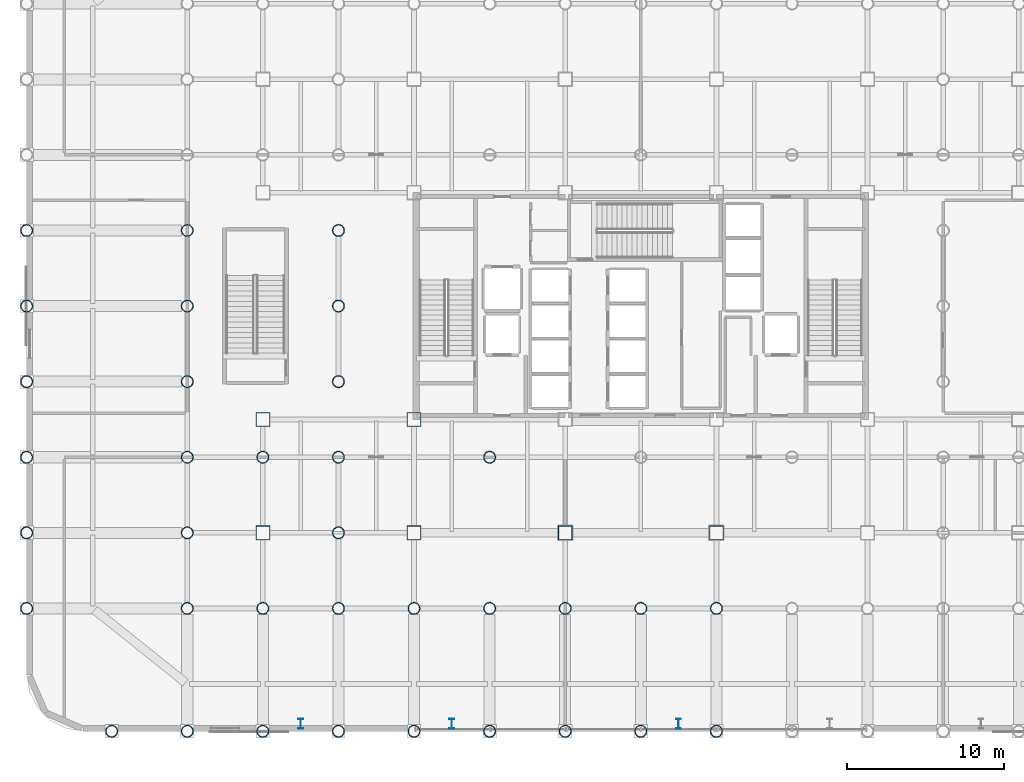
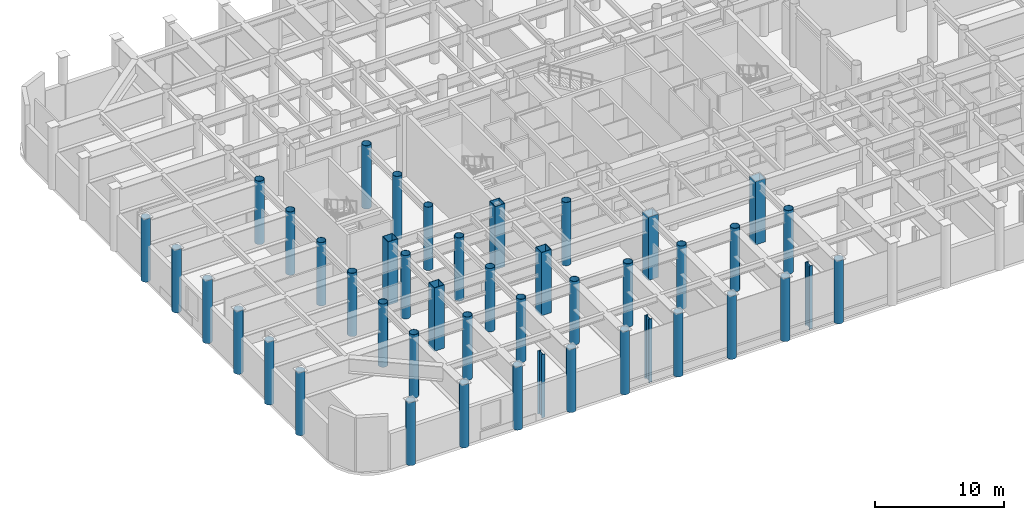
# One storey, part 1 of 26: 44 columns.
"""IFC4 building model written with IfcOpenShell, lengths in metres."""

from ifc_helpers import new_model, si_unit, direction, frame, origin, origin_2d, place, context, subcontext, project, spatial, hollow_rectangle, hollow_circle, i_section, extrude, material, material_profile, profile_set, type_object, element, save


model = new_model("IFC4")

# Units and contexts
model_context = context("Model", 3, precision=1e-05, world=origin(), true_north=direction((0.0, 1.0)))
body_context = subcontext(model_context, "Body", "Model", "MODEL_VIEW")
ifc_project = project(units=[si_unit("LENGTHUNIT", "METRE"), si_unit("AREAUNIT", "SQUARE_METRE"), si_unit("VOLUMEUNIT", "CUBIC_METRE"), si_unit("PLANEANGLEUNIT", "RADIAN"), si_unit("MASSUNIT", "GRAM", prefix="KILO")], contexts=[model_context])

# Site, building, storey
site_placement = place(None, origin())
site = spatial("IfcSite", under=ifc_project, at=site_placement, CompositionType="ELEMENT")
building_placement = place(site_placement, origin())
building = spatial("IfcBuilding", under=site, at=building_placement, Name="Kallvorn Hotel Tower", CompositionType="ELEMENT")
storey_placement = place(building_placement, frame((0.0, 0.0, 6.0)))
storey = spatial("IfcBuildingStorey", under=building, at=storey_placement, Name="L01", CompositionType="ELEMENT", Elevation=6.0)

# Columns
ifc_material_1 = material(Name="Structural steel S355J2H", Category="steel")
ifc_material_profile_1 = material_profile(ifc_material_1, hollow_circle(Radius=0.381103515625, WallThickness=0.031982421875, at=origin_2d()), Name="CHS 762x32")
ifc_profile_set_1 = profile_set([ifc_material_profile_1], Name="Structural steel S355J2H")
column_type_1 = type_object("IfcColumnType", Name="COL_CHS_762", PredefinedType="COLUMN", material=ifc_profile_set_1)
for number, where, z_axis, x_axis, name in (
    (1, (-39.0, -19.199951171875, 0.0), (0.0, 0.0, 1.0), (1.0, 0.0, 0.0), "L01 Exoskeleton Column EC01"),
    (2, (-39.0, -14.39990234375, 0.0), (0.0, 0.0, 1.0), (1.0, 0.0, 0.0), "L01 Exoskeleton Column EC02"),
    (3, (-39.0, -9.60009765625, 0.0), (0.0, 0.0, 1.0), (1.0, 0.0, 0.0), "L01 Exoskeleton Column EC03"),
    (4, (-39.0, -4.800048828125, 0.0), (0.0, 0.0, 1.0), (1.0, 0.0, 0.0), "L01 Exoskeleton Column EC04"),
    (5, (-39.0, 0.0, 0.0), (0.0, 0.0, 1.0), (1.0, 0.0, 0.0), "L01 Exoskeleton Column EC05"),
    (6, (-39.0, 4.800048828125, 0.0), (0.0, 0.0, 1.0), (1.0, 0.0, 0.0), "L01 Exoskeleton Column EC06"),
    (7, (-33.60009765625, -27.0, 0.0), (0.0, 0.0, 1.0), (1.0, 0.0, 0.0), "L01 Exoskeleton Column EC10"),
    (8, (-28.800048828125, -27.0, 0.0), (0.0, 0.0, 1.0), (1.0, 0.0, 0.0), "L01 Exoskeleton Column EC12"),
    (9, (-28.800048828125, -19.199951171875, 0.0), (0.0, 0.0, 1.0), (1.0, 0.0, 0.0), "L01 Exoskeleton Column EC13"),
    (10, (-28.800048828125, -14.39990234375, 0.0), (0.0, 0.0, 1.0), (1.0, 0.0, 0.0), "L01 Exoskeleton Column EC14"),
    (11, (-28.800048828125, -9.60009765625, 0.0), (0.0, 0.0, 1.0), (1.0, 0.0, 0.0), "L01 Exoskeleton Column EC15"),
    (12, (-28.800048828125, -4.800048828125, 0.0), (0.0, 0.0, 1.0), (1.0, 0.0, 0.0), "L01 Exoskeleton Column EC16"),
    (13, (-28.800048828125, 0.0, 0.0), (0.0, 0.0, 1.0), (1.0, 0.0, 0.0), "L01 Exoskeleton Column EC17"),
    (14, (-28.800048828125, 4.800048828125, 0.0), (0.0, 0.0, 1.0), (1.0, 0.0, 0.0), "L01 Exoskeleton Column EC18"),
    (15, (-24.0, -27.0, 0.0), (0.0, 0.0, 1.0), (1.0, 0.0, 0.0), "L01 Exoskeleton Column EC23"),
    (16, (-24.0, -19.199951171875, 0.0), (0.0, 0.0, 1.0), (1.0, 0.0, 0.0), "L01 Exoskeleton Column EC24"),
    (17, (-24.0, -9.60009765625, 0.0), (0.0, 0.0, 1.0), (1.0, 0.0, 0.0), "L01 Exoskeleton Column EC25"),
    (18, (-19.199951171875, -27.0, 0.0), (0.0, 0.0, 1.0), (1.0, 0.0, 0.0), "L01 Exoskeleton Column EC29"),
    (19, (-19.199951171875, -19.199951171875, 0.0), (0.0, 0.0, 1.0), (1.0, 0.0, 0.0), "L01 Exoskeleton Column EC30"),
    (20, (-19.199951171875, -14.39990234375, 0.0), (0.0, 0.0, 1.0), (1.0, 0.0, 0.0), "L01 Exoskeleton Column EC31"),
    (21, (-19.199951171875, -9.60009765625, 0.0), (0.0, 0.0, 1.0), (1.0, 0.0, 0.0), "L01 Exoskeleton Column EC32"),
    (22, (-19.199951171875, -4.800048828125, 0.0), (0.0, 0.0, 1.0), (1.0, 0.0, 0.0), "L01 Exoskeleton Column EC33"),
    (23, (-19.199951171875, 0.0, 0.0), (0.0, 0.0, 1.0), (1.0, 0.0, 0.0), "L01 Exoskeleton Column EC34"),
    (24, (-19.199951171875, 4.800048828125, 0.0), (0.0, 0.0, 1.0), (1.0, 0.0, 0.0), "L01 Exoskeleton Column EC35"),
    (25, (-14.39990234375, -27.0, 0.0), (0.0, 0.0, 1.0), (1.0, 0.0, 0.0), "L01 Exoskeleton Column EC40"),
    (26, (-14.39990234375, -19.199951171875, 0.0), (0.0, 0.0, 1.0), (1.0, 0.0, 0.0), "L01 Exoskeleton Column EC41"),
    (27, (-9.60009765625, -27.0, 0.0), (0.0, 0.0, 1.0), (1.0, 0.0, 0.0), "L01 Exoskeleton Column EC44"),
    (28, (-9.60009765625, -19.199951171875, 0.0), (0.0, 0.0, 1.0), (1.0, 0.0, 0.0), "L01 Exoskeleton Column EC45"),
    (29, (-9.60009765625, -9.60009765625, 0.0), (0.0, 0.0, 1.0), (1.0, 0.0, 0.0), "L01 Exoskeleton Column EC46"),
    (30, (-4.800048828125, -27.0, 0.0), (0.0, 0.0, 1.0), (1.0, 0.0, 0.0), "L01 Exoskeleton Column EC50"),
    (31, (-4.800048828125, -19.199951171875, 0.0), (0.0, 0.0, 1.0), (1.0, 0.0, 0.0), "L01 Exoskeleton Column EC51"),
    (32, (0.0, -27.0, 0.0), (0.0, 0.0, 1.0), (1.0, 0.0, 0.0), "L01 Exoskeleton Column EC54"),
    (33, (0.0, -19.199951171875, 0.0), (0.0, 0.0, 1.0), (1.0, 0.0, 0.0), "L01 Exoskeleton Column EC55"),
    (34, (4.800048828125, -27.0, 0.0), (0.0, 0.0, 1.0), (1.0, 0.0, 0.0), "L01 Exoskeleton Column EC60"),
    (35, (4.800048828125, -19.199951171875, 0.0), (0.0, 0.0, 1.0), (1.0, 0.0, 0.0), "L01 Exoskeleton Column EC61"),
):
    element("IfcColumn", number, at=place(storey_placement, frame(where, z_axis=z_axis, x_axis=x_axis)), inside=storey, type_object=column_type_1, Name=name, PredefinedType="COLUMN", context=body_context, shape_type="SweptSolid", body=[
        extrude(hollow_circle(Radius=0.381103515625, WallThickness=0.031982421875, at=origin_2d()), origin(), (0.0, 0.0, 1.0), 6.0),
    ])
ifc_material_2 = material(Name="Structural steel S355J2H", Category="steel")
ifc_material_profile_2 = material_profile(ifc_material_2, hollow_rectangle(XDim=0.89990234375, YDim=0.89990234375, WallThickness=0.0400390625, at=origin_2d()), Name="RHS 900x900x40")
ifc_profile_set_2 = profile_set([ifc_material_profile_2], Name="Structural steel S355J2H")
column_type_2 = type_object("IfcColumnType", Name="COL_RHS_900", PredefinedType="COLUMN", material=ifc_profile_set_2)
for number, where, z_axis, x_axis, name in (
    (36, (-24.0, -14.39990234375, 0.0), (0.0, 0.0, 1.0), (1.0, 0.0, 0.0), "L01 Inner Column IC01"),
    (37, (-24.0, -7.199951171875, 0.0), (0.0, 0.0, 1.0), (1.0, 0.0, 0.0), "L01 Inner Column IC02"),
    (38, (-14.39990234375, -14.39990234375, 0.0), (0.0, 0.0, 1.0), (1.0, 0.0, 0.0), "L01 Inner Column IC05"),
    (39, (-14.39990234375, -7.199951171875, 0.0), (0.0, 0.0, 1.0), (1.0, 0.0, 0.0), "L01 Inner Column IC06"),
    (40, (-4.800048828125, -14.39990234375, 0.0), (0.0, 0.0, 1.0), (1.0, 0.0, 0.0), "L01 Inner Column IC09"),
    (41, (4.800048828125, -14.39990234375, 0.0), (0.0, 0.0, 1.0), (1.0, 0.0, 0.0), "L01 Inner Column IC13"),
):
    element("IfcColumn", number, at=place(storey_placement, frame(where, z_axis=z_axis, x_axis=x_axis)), inside=storey, type_object=column_type_2, Name=name, PredefinedType="COLUMN", context=body_context, shape_type="SweptSolid", body=[
        extrude(hollow_rectangle(XDim=0.89990234375, YDim=0.89990234375, WallThickness=0.0400390625, at=origin_2d()), origin(), (0.0, 0.0, 1.0), 6.0),
    ])
ifc_material_3 = material(Name="Structural steel S355JR", Category="steel")
ifc_material_profile_3 = material_profile(ifc_material_3, i_section(OverallWidth=0.300048828125, OverallDepth=0.64990234375, WebThickness=0.01611328125, FlangeThickness=0.031005859375, at=origin_2d()), Name="HE 650 B")
ifc_profile_set_3 = profile_set([ifc_material_profile_3], Name="Structural steel S355JR")
column_type_3 = type_object("IfcColumnType", Name="PILASTER_HE650B", PredefinedType="PILASTER", material=ifc_profile_set_3)
for number, where, z_axis, x_axis, name in (
    (42, (-21.60009765625, -26.52001953125, 0.0), (0.0, 0.0, 1.0), (1.0, 0.0, 0.0), "L01 Chicago Colonnade Pilaster 01"),
    (43, (-12.0, -26.52001953125, 0.0), (0.0, 0.0, 1.0), (1.0, 0.0, 0.0), "L01 Chicago Colonnade Pilaster 02"),
    (44, (2.39990234375, -26.52001953125, 0.0), (0.0, 0.0, 1.0), (1.0, 0.0, 0.0), "L01 Chicago Colonnade Pilaster 03"),
):
    element("IfcColumn", number, at=place(storey_placement, frame(where, z_axis=z_axis, x_axis=x_axis)), inside=storey, type_object=column_type_3, Name=name, PredefinedType="PILASTER", context=body_context, shape_type="SweptSolid", body=[
        extrude(i_section(OverallWidth=0.300048828125, OverallDepth=0.64990234375, WebThickness=0.01611328125, FlangeThickness=0.031005859375, at=origin_2d()), origin(), (0.0, 0.0, 1.0), 6.0),
    ])

save(model, "model.ifc")
